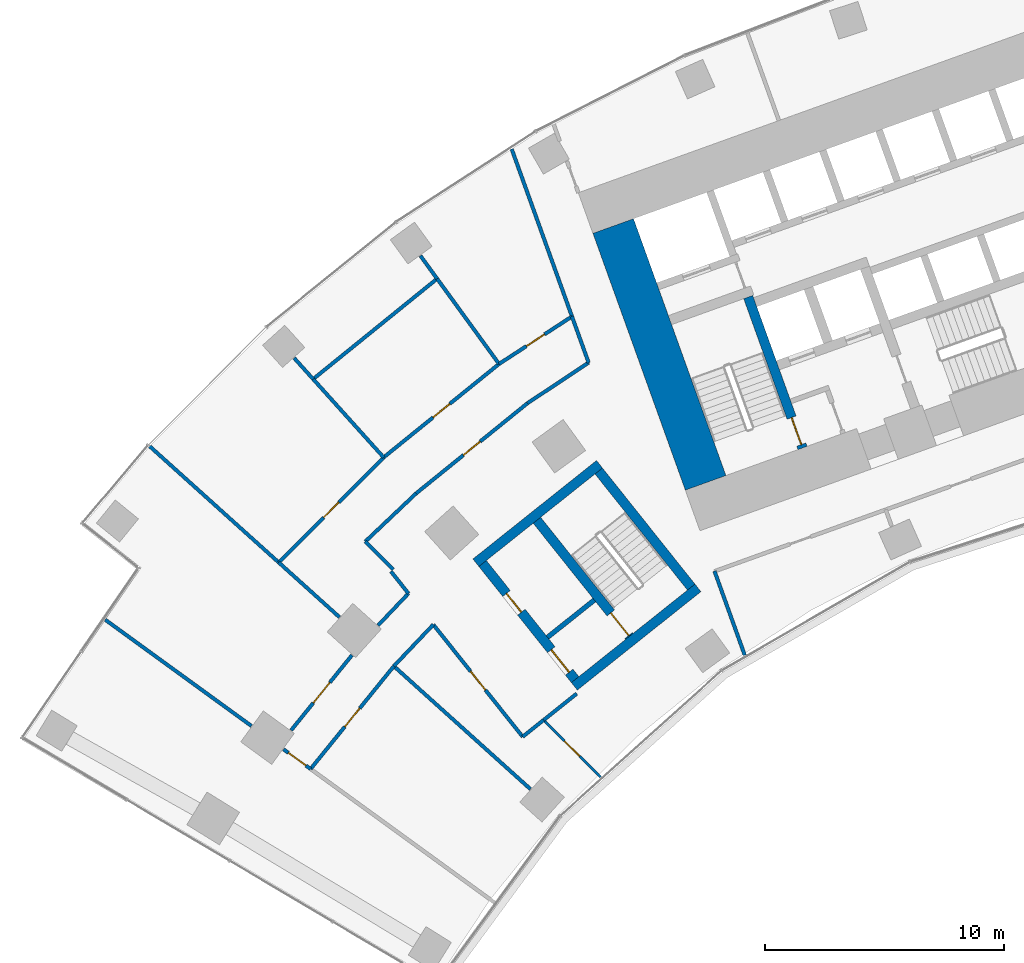
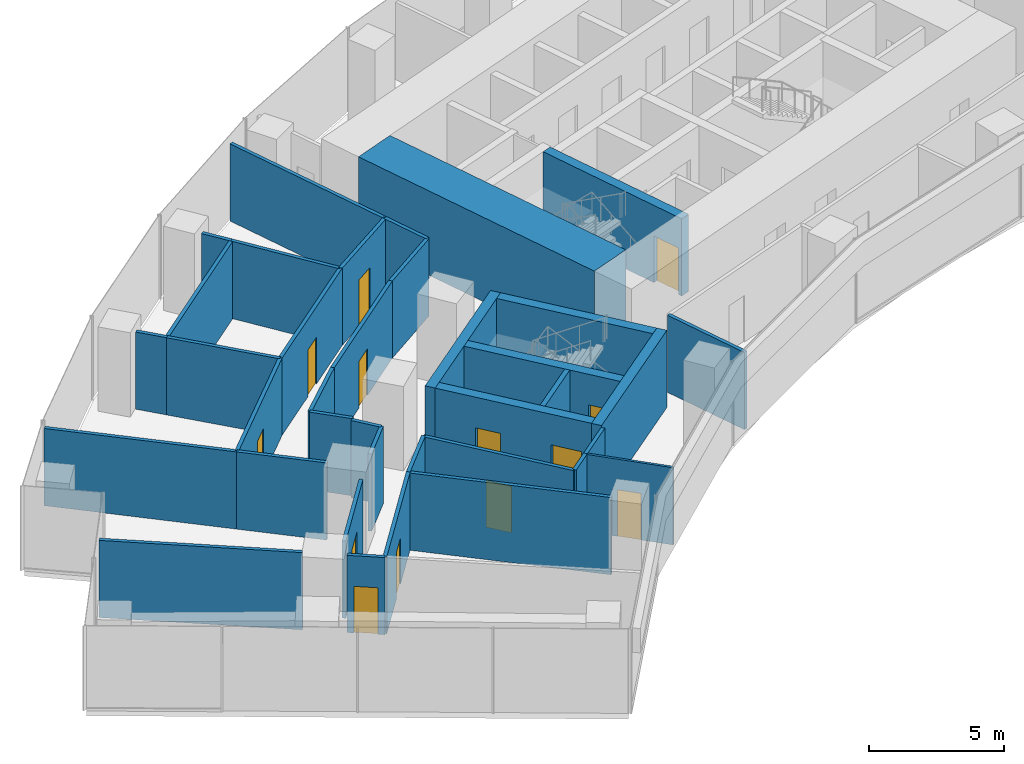
# One storey, part 14 of 21: 37 walls, 13 doors, 13 openings.
"""IFC4 building model written with IfcOpenShell, lengths in metres."""

from ifc_helpers import new_model, si_unit, direction, frame, frame_2d, origin, place, context, subcontext, project, spatial, rectangle, extrude, material, layer, layer_set, type_object, element, fill, save


model = new_model("IFC4")

# Units and contexts
model_context = context("Model", 3, precision=1e-05, world=origin(), true_north=direction((0.0, 1.0)))
body_context = subcontext(model_context, "Body", "Model", "MODEL_VIEW")
ifc_project = project(units=[si_unit("LENGTHUNIT", "METRE"), si_unit("AREAUNIT", "SQUARE_METRE"), si_unit("VOLUMEUNIT", "CUBIC_METRE"), si_unit("PLANEANGLEUNIT", "RADIAN"), si_unit("MASSUNIT", "GRAM", prefix="KILO")], contexts=[model_context])

# Site, building, storey
site_placement = place(None, origin())
site = spatial("IfcSite", under=ifc_project, at=site_placement, CompositionType="ELEMENT")
building_placement = place(site_placement, origin())
building = spatial("IfcBuilding", under=site, at=building_placement, Name="Stone Belt Terrace Tower", CompositionType="ELEMENT")
storey_placement = place(building_placement, frame((0.0, 0.0, 45.199951171875)))
storey = spatial("IfcBuildingStorey", under=building, at=storey_placement, Name="L10", CompositionType="ELEMENT", Elevation=45.199951171875)

# Wall
ifc_material_1 = material(Name="Concrete B80", Category="concrete")
ifc_layer_1 = layer(ifc_material_1, 1.800048828125)
ifc_layer_set_1 = layer_set([ifc_layer_1], Name="Core wall 1800 B80")
wall_type_1 = type_object("IfcWallType", Name="Core wall 1800 B80", PredefinedType="SHEAR", material=ifc_layer_set_1)
wall_1_placement = place(storey_placement, frame((-26.197509765625, 42.96728515625, 0.0), z_axis=(0.0, 0.0, 1.0), x_axis=(-0.338625431531, 0.940921259788, 0.0)))
element("IfcWall", 1, at=wall_1_placement, inside=storey, type_object=wall_type_1, Name="Core A wall end_a L10", PredefinedType="SHEAR", context=body_context, shape_type="SweptSolid", body=[
    extrude(rectangle(XDim=11.400146484375, YDim=1.800048828125, at=frame_2d((5.7001953125, 0.0))), origin(), (0.0, 0.0, 1.0), 3.800048828125),
])

# Wall, opening, door
ifc_material_2 = material(Name="Gypsum board partition")
ifc_layer_2 = layer(ifc_material_2, 0.10009765625)
ifc_layer_set_2 = layer_set([ifc_layer_2], Name="PARTITION 100")
wall_type_2 = type_object("IfcWallType", Name="PARTITION 100", PredefinedType="PARTITIONING", material=ifc_layer_set_2)
wall_2_placement = place(storey_placement, frame((-32.968017578125, 33.06005859375, 0.0), z_axis=(0.0, 0.0, 1.0), x_axis=(0.706309715327, -0.707902949587, 0.0)))
wall_2 = element("IfcWall", 2, at=wall_2_placement, inside=storey, type_object=wall_type_2, Name="L10/wall/i049", PredefinedType="PARTITIONING", context=body_context, shape_type="SweptSolid", body=[
    extrude(rectangle(XDim=3.37109375, YDim=0.10009765625, at=frame_2d((1.685546875, 0.0))), origin(), (0.0, 0.0, 1.0), 3.47998046875),
])
opening_1_placement = place(wall_2_placement, frame((1.235595703125, 0.0, 0.0)))
opening_1 = element("IfcOpeningElement", 3, at=opening_1_placement, cuts=wall_2, Name="Opening D-A3-13", PredefinedType="OPENING", context=body_context, shape_type="SweptSolid", body=[
    extrude(rectangle(XDim=0.89990234375, YDim=2.10009765625, at=frame_2d((0.449951171875, 1.050048828125))), frame((0.0, 0.06005859375, 0.0), z_axis=(0.0, -1.0, 0.0), x_axis=(1.0, 0.0, 0.0)), (0.0, 0.0, 1.0), 0.1201171875),
])
ifc_material_3 = material(Name="Timber door leaf", Category="wood")
door_type_1 = type_object("IfcDoorType", Name="OFFICE DOOR 900 X 2100", OperationType="NOTDEFINED", PredefinedType="DOOR", material=ifc_material_3)
door_1_placement = place(opening_1_placement, origin())
door_1 = element("IfcDoor", 4, at=door_1_placement, inside=storey, type_object=door_type_1, Name="L10/door/i13", OperationType="SINGLE_SWING_RIGHT", OverallHeight=2.10009765625, OverallWidth=0.89990234375, PredefinedType="DOOR", context=body_context, shape_type="SweptSolid", body=[
    extrude(rectangle(XDim=0.89990234375, YDim=2.10009765625, at=frame_2d((0.449951171875, 1.050048828125))), frame((0.0, 0.02490234375, 0.0), z_axis=(0.0, -1.0, 0.0), x_axis=(1.0, 0.0, 0.0)), (0.0, 0.0, 1.0), 0.050048828125),
])
fill(opening_1, door_1)

# Walls
ifc_layer_3 = layer(ifc_material_2, 0.14990234375)
ifc_layer_set_3 = layer_set([ifc_layer_3], Name="PARTITION 150 EI 60")
wall_type_3 = type_object("IfcWallType", Name="PARTITION 150 EI 60", PredefinedType="PARTITIONING", material=ifc_layer_set_3)
wall_3_placement = place(storey_placement, frame((-25.826904296875, 39.281005859375, 0.0), z_axis=(0.0, 0.0, 1.0), x_axis=(0.338392582605, -0.941005026574, 0.0)))
element("IfcWall", 5, at=wall_3_placement, inside=storey, type_object=wall_type_3, Name="L10/wall/i001", PredefinedType="PARTITIONING", context=body_context, shape_type="SweptSolid", body=[
    extrude(rectangle(XDim=3.729248046875, YDim=0.14990234375, at=frame_2d((1.86474609375, 0.0))), origin(), (0.0, 0.0, 1.0), 3.47998046875),
])
wall_4_placement = place(storey_placement, frame((-31.0830078125, 47.98193359375, 0.0), z_axis=(0.0, 0.0, 1.0), x_axis=(-0.338937449327, 0.940808910164, 0.0)))
element("IfcWall", 6, at=wall_4_placement, inside=storey, type_object=wall_type_3, Name="L10/wall/i004", PredefinedType="PARTITIONING", context=body_context, shape_type="SweptSolid", body=[
    extrude(rectangle(XDim=2.062255859375, YDim=0.14990234375, at=frame_2d((1.03125, 0.0))), origin(), (0.0, 0.0, 1.0), 3.47998046875),
])
wall_5_placement = place(storey_placement, frame((-31.778076171875, 49.909912109375, 0.0), z_axis=(0.0, 0.0, 1.0), x_axis=(-0.338711334353, 0.94089034004, 0.0)))
element("IfcWall", 7, at=wall_5_placement, inside=storey, type_object=wall_type_3, Name="L10/wall/i005", PredefinedType="PARTITIONING", context=body_context, shape_type="SweptSolid", body=[
    extrude(rectangle(XDim=7.43994140625, YDim=0.14990234375, at=frame_2d((3.719970703125, 0.0))), origin(), (0.0, 0.0, 1.0), 3.47998046875),
])

# Wall, opening, door
wall_6_placement = place(storey_placement, frame((-42.69091796875, 31.01611328125, 0.0), z_axis=(0.0, 0.0, 1.0), x_axis=(-0.809165251575, 0.587581139626, 0.0)))
wall_6 = element("IfcWall", 8, at=wall_6_placement, inside=storey, type_object=wall_type_3, Name="L10/wall/i034", PredefinedType="PARTITIONING", context=body_context, shape_type="SweptSolid", body=[
    extrude(rectangle(XDim=1.4013671875, YDim=0.14990234375, at=frame_2d((0.70068359375, 0.0))), origin(), (0.0, 0.0, 1.0), 3.47998046875),
])
opening_2_placement = place(wall_6_placement, frame((0.250732421875, 0.0, 0.0)))
opening_2 = element("IfcOpeningElement", 9, at=opening_2_placement, cuts=wall_6, Name="Opening D-A3-11", PredefinedType="OPENING", context=body_context, shape_type="SweptSolid", body=[
    extrude(rectangle(XDim=0.89990234375, YDim=2.10009765625, at=frame_2d((0.449951171875, 1.050048828125))), frame((0.0, 0.0849609375, 0.0), z_axis=(0.0, -1.0, 0.0), x_axis=(1.0, 0.0, 0.0)), (0.0, 0.0, 1.0), 0.169921875),
])
ifc_material_4 = material(Name="Timber fire door leaf", Category="wood")
door_type_2 = type_object("IfcDoorType", Name="TENANCY ENTRANCE DOOR 900 X 2100", OperationType="NOTDEFINED", PredefinedType="DOOR", material=ifc_material_4)
door_2_placement = place(opening_2_placement, origin())
door_2 = element("IfcDoor", 10, at=door_2_placement, inside=storey, type_object=door_type_2, Name="L10/door/i11", OperationType="SINGLE_SWING_RIGHT", OverallHeight=2.10009765625, OverallWidth=0.89990234375, PredefinedType="DOOR", context=body_context, shape_type="SweptSolid", body=[
    extrude(rectangle(XDim=0.89990234375, YDim=2.10009765625, at=frame_2d((0.449951171875, 1.050048828125))), frame((0.0, 0.02490234375, 0.0), z_axis=(0.0, -1.0, 0.0), x_axis=(1.0, 0.0, 0.0)), (0.0, 0.0, 1.0), 0.050048828125),
])
fill(opening_2, door_2)

# Walls
wall_7_placement = place(storey_placement, frame((-51.27294921875, 37.251708984375, 0.0), z_axis=(0.0, 0.0, 1.0), x_axis=(0.808996210437, -0.587813857865, 0.0)))
element("IfcWall", 11, at=wall_7_placement, inside=storey, type_object=wall_type_3, Name="L10/wall/i036", PredefinedType="PARTITIONING", context=body_context, shape_type="SweptSolid", body=[
    extrude(rectangle(XDim=7.546630859375, YDim=0.14990234375, at=frame_2d((3.7734375, 0.0))), origin(), (0.0, 0.0, 1.0), 3.47998046875),
])
wall_8_placement = place(storey_placement, frame((-39.25, 39.35107421875, 0.0), z_axis=(0.0, 0.0, 1.0), x_axis=(-0.706216032574, 0.707996409126, 0.0)))
element("IfcWall", 12, at=wall_8_placement, inside=storey, type_object=wall_type_3, Name="L10/wall/i037", PredefinedType="PARTITIONING", context=body_context, shape_type="SweptSolid", body=[
    extrude(rectangle(XDim=1.6455078125, YDim=0.14990234375, at=frame_2d((0.82275390625, 0.0))), origin(), (0.0, 0.0, 1.0), 3.47998046875),
])
wall_9_placement = place(storey_placement, frame((-40.412109375, 40.51611328125, 0.0), z_axis=(0.0, 0.0, 1.0), x_axis=(0.725899989111, 0.687800265926, 0.0)))
element("IfcWall", 13, at=wall_9_placement, inside=storey, type_object=wall_type_3, Name="L10/wall/i038", PredefinedType="PARTITIONING", context=body_context, shape_type="SweptSolid", body=[
    extrude(rectangle(XDim=2.922119140625, YDim=0.14990234375, at=frame_2d((1.4609375, 0.0))), origin(), (0.0, 0.0, 1.0), 3.47998046875),
])

# Wall, opening, door
wall_10_placement = place(storey_placement, frame((-38.2900390625, 42.527099609375, 0.0), z_axis=(0.0, 0.0, 1.0), x_axis=(0.77714422733, 0.629322532513, 0.0)))
wall_10 = element("IfcWall", 14, at=wall_10_placement, inside=storey, type_object=wall_type_3, Name="L10/wall/i039", PredefinedType="PARTITIONING", context=body_context, shape_type="SweptSolid", body=[
    extrude(rectangle(XDim=5.98876953125, YDim=0.14990234375, at=frame_2d((2.994384765625, 0.0))), origin(), (0.0, 0.0, 1.0), 3.47998046875),
])
opening_3_placement = place(wall_10_placement, frame((2.54443359375, 0.0, 0.0)))
opening_3 = element("IfcOpeningElement", 15, at=opening_3_placement, cuts=wall_10, Name="Opening D-A3-15", PredefinedType="OPENING", context=body_context, shape_type="SweptSolid", body=[
    extrude(rectangle(XDim=0.89990234375, YDim=2.10009765625, at=frame_2d((0.449951171875, 1.050048828125))), frame((0.0, 0.0849609375, 0.0), z_axis=(0.0, -1.0, 0.0), x_axis=(1.0, 0.0, 0.0)), (0.0, 0.0, 1.0), 0.169921875),
])
door_3_placement = place(opening_3_placement, origin())
door_3 = element("IfcDoor", 16, at=door_3_placement, inside=storey, type_object=door_type_1, Name="L10/door/i15", OperationType="SINGLE_SWING_RIGHT", OverallHeight=2.10009765625, OverallWidth=0.89990234375, PredefinedType="DOOR", context=body_context, shape_type="SweptSolid", body=[
    extrude(rectangle(XDim=0.89990234375, YDim=2.10009765625, at=frame_2d((0.449951171875, 1.050048828125))), frame((0.0, 0.02490234375, 0.0), z_axis=(0.0, -1.0, 0.0), x_axis=(1.0, 0.0, 0.0)), (0.0, 0.0, 1.0), 0.050048828125),
])
fill(opening_3, door_3)

# Walls
wall_11_placement = place(storey_placement, frame((-33.635986328125, 46.2958984375, 0.0), z_axis=(0.0, 0.0, 1.0), x_axis=(0.833385857539, 0.552691607005, 0.0)))
element("IfcWall", 17, at=wall_11_placement, inside=storey, type_object=wall_type_3, Name="L10/wall/i040", PredefinedType="PARTITIONING", context=body_context, shape_type="SweptSolid", body=[
    extrude(rectangle(XDim=3.059814453125, YDim=0.14990234375, at=frame_2d((1.52978515625, 0.0))), origin(), (0.0, 0.0, 1.0), 3.47998046875),
])
wall_12_placement = place(storey_placement, frame((-37.56689453125, 37.052001953125, 0.0), z_axis=(0.0, 0.0, 1.0), x_axis=(-0.688757486719, -0.724991809946, 0.0)))
element("IfcWall", 18, at=wall_12_placement, inside=storey, type_object=wall_type_3, Name="L10/wall/i041", PredefinedType="PARTITIONING", context=body_context, shape_type="SweptSolid", body=[
    extrude(rectangle(XDim=2.398681640625, YDim=0.14990234375, at=frame_2d((1.19921875, 0.0))), origin(), (0.0, 0.0, 1.0), 3.47998046875),
])

# Wall, opening, door
wall_13_placement = place(storey_placement, frame((-39.218994140625, 35.31298828125, 0.0), z_axis=(0.0, 0.0, 1.0), x_axis=(-0.629393988906, -0.777086357318, 0.0)))
wall_13 = element("IfcWall", 19, at=wall_13_placement, inside=storey, type_object=wall_type_3, Name="L10/wall/i042", PredefinedType="PARTITIONING", context=body_context, shape_type="SweptSolid", body=[
    extrude(rectangle(XDim=5.5244140625, YDim=0.14990234375, at=frame_2d((2.76220703125, 0.0))), origin(), (0.0, 0.0, 1.0), 3.47998046875),
])
opening_4_placement = place(wall_13_placement, frame((2.26220703125, 0.0, 0.0)))
opening_4 = element("IfcOpeningElement", 20, at=opening_4_placement, cuts=wall_13, Name="Opening D-A3-14", PredefinedType="OPENING", context=body_context, shape_type="SweptSolid", body=[
    extrude(rectangle(XDim=1.0, YDim=2.10009765625, at=frame_2d((0.5, 1.050048828125))), frame((0.0, 0.0849609375, 0.0), z_axis=(0.0, -1.0, 0.0), x_axis=(1.0, 0.0, 0.0)), (0.0, 0.0, 1.0), 0.169921875),
])
door_type_3 = type_object("IfcDoorType", Name="TENANCY ENTRANCE DOOR 1000 X 2100", OperationType="NOTDEFINED", PredefinedType="DOOR", material=ifc_material_4)
door_4_placement = place(opening_4_placement, origin())
door_4 = element("IfcDoor", 21, at=door_4_placement, inside=storey, type_object=door_type_3, Name="L10/door/i14", OperationType="SINGLE_SWING_RIGHT", OverallHeight=2.10009765625, OverallWidth=1.0, PredefinedType="DOOR", context=body_context, shape_type="SweptSolid", body=[
    extrude(rectangle(XDim=1.0, YDim=2.10009765625, at=frame_2d((0.5, 1.050048828125))), frame((0.0, 0.02490234375, 0.0), z_axis=(0.0, -1.0, 0.0), x_axis=(1.0, 0.0, 0.0)), (0.0, 0.0, 1.0), 0.050048828125),
])
fill(opening_4, door_4)

# Wall
wall_14_placement = place(storey_placement, frame((-39.873779296875, 37.019287109375, 0.0), z_axis=(0.0, 0.0, 1.0), x_axis=(0.688718115667, 0.72502921124, 0.0)))
element("IfcWall", 22, at=wall_14_placement, inside=storey, type_object=wall_type_3, Name="L10/wall/i043", PredefinedType="PARTITIONING", context=body_context, shape_type="SweptSolid", body=[
    extrude(rectangle(XDim=1.84228515625, YDim=0.14990234375, at=frame_2d((0.921142578125, 0.0))), origin(), (0.0, 0.0, 1.0), 3.47998046875),
])

# Wall, opening, door
wall_15_placement = place(storey_placement, frame((-43.5078125, 32.63623046875, 0.0), z_axis=(0.0, 0.0, 1.0), x_axis=(0.629347927528, 0.777123662049, 0.0)))
wall_15 = element("IfcWall", 23, at=wall_15_placement, inside=storey, type_object=wall_type_3, Name="L10/wall/i044", PredefinedType="PARTITIONING", context=body_context, shape_type="SweptSolid", body=[
    extrude(rectangle(XDim=4.034423828125, YDim=0.14990234375, at=frame_2d((2.01708984375, 0.0))), origin(), (0.0, 0.0, 1.0), 3.47998046875),
])
opening_5_placement = place(wall_15_placement, frame((1.46728515625, 0.0, 0.0)))
opening_5 = element("IfcOpeningElement", 24, at=opening_5_placement, cuts=wall_15, Name="Opening D-A3-19", PredefinedType="OPENING", context=body_context, shape_type="SweptSolid", body=[
    extrude(rectangle(XDim=1.10009765625, YDim=2.10009765625, at=frame_2d((0.550048828125, 1.050048828125))), frame((0.0, 0.0849609375, 0.0), z_axis=(0.0, -1.0, 0.0), x_axis=(1.0, 0.0, 0.0)), (0.0, 0.0, 1.0), 0.169921875),
])
ifc_material_5 = material(Name="Steel fire door set", Category="steel")
door_type_4 = type_object("IfcDoorType", Name="SERVICE ROOM DOOR 1100 X 2100", OperationType="NOTDEFINED", PredefinedType="DOOR", material=ifc_material_5)
door_5_placement = place(opening_5_placement, origin())
door_5 = element("IfcDoor", 25, at=door_5_placement, inside=storey, type_object=door_type_4, Name="L10/door/i19", OperationType="SINGLE_SWING_RIGHT", OverallHeight=2.10009765625, OverallWidth=1.10009765625, PredefinedType="DOOR", context=body_context, shape_type="SweptSolid", body=[
    extrude(rectangle(XDim=1.10009765625, YDim=2.10009765625, at=frame_2d((0.550048828125, 1.050048828125))), frame((0.0, 0.02490234375, 0.0), z_axis=(0.0, -1.0, 0.0), x_axis=(1.0, 0.0, 0.0)), (0.0, 0.0, 1.0), 0.050048828125),
])
fill(opening_5, door_5)

# Wall
wall_16_placement = place(storey_placement, frame((-32.962890625, 33.06298828125, 0.0), z_axis=(0.0, 0.0, 1.0), x_axis=(-0.782502176307, -0.622647849169, 0.0)))
element("IfcWall", 26, at=wall_16_placement, inside=storey, type_object=wall_type_3, Name="L10/wall/i045", PredefinedType="PARTITIONING", context=body_context, shape_type="SweptSolid", body=[
    extrude(rectangle(XDim=1.12109375, YDim=0.14990234375, at=frame_2d((0.560546875, 0.0))), origin(), (0.0, 0.0, 1.0), 3.47998046875),
])

# Wall, opening, door
wall_17_placement = place(storey_placement, frame((-33.840087890625, 32.364990234375, 0.0), z_axis=(0.0, 0.0, 1.0), x_axis=(-0.623112520353, 0.782132205563, 0.0)))
wall_17 = element("IfcWall", 27, at=wall_17_placement, inside=storey, type_object=wall_type_3, Name="L10/wall/i046", PredefinedType="PARTITIONING", context=body_context, shape_type="SweptSolid", body=[
    extrude(rectangle(XDim=5.987548828125, YDim=0.14990234375, at=frame_2d((2.99365234375, 0.0))), origin(), (0.0, 0.0, 1.0), 3.47998046875),
])
opening_6_placement = place(wall_17_placement, frame((2.493896484375, 0.0, 0.0)))
opening_6 = element("IfcOpeningElement", 28, at=opening_6_placement, cuts=wall_17, Name="Opening D-A3-12", PredefinedType="OPENING", context=body_context, shape_type="SweptSolid", body=[
    extrude(rectangle(XDim=1.0, YDim=2.10009765625, at=frame_2d((0.5, 1.050048828125))), frame((0.0, 0.0849609375, 0.0), z_axis=(0.0, -1.0, 0.0), x_axis=(1.0, 0.0, 0.0)), (0.0, 0.0, 1.0), 0.169921875),
])
door_6_placement = place(opening_6_placement, origin())
door_6 = element("IfcDoor", 29, at=door_6_placement, inside=storey, type_object=door_type_3, Name="L10/door/i12", OperationType="SINGLE_SWING_RIGHT", OverallHeight=2.10009765625, OverallWidth=1.0, PredefinedType="DOOR", context=body_context, shape_type="SweptSolid", body=[
    extrude(rectangle(XDim=1.0, YDim=2.10009765625, at=frame_2d((0.5, 1.050048828125))), frame((0.0, 0.02490234375, 0.0), z_axis=(0.0, -1.0, 0.0), x_axis=(1.0, 0.0, 0.0)), (0.0, 0.0, 1.0), 0.050048828125),
])
fill(opening_6, door_6)

# Walls
wall_18_placement = place(storey_placement, frame((-31.5810546875, 34.1650390625, 0.0), z_axis=(0.0, 0.0, 1.0), x_axis=(-0.781845256464, -0.623472529422, 0.0)))
element("IfcWall", 30, at=wall_18_placement, inside=storey, type_object=wall_type_3, Name="L10/wall/i047", PredefinedType="PARTITIONING", context=body_context, shape_type="SweptSolid", body=[
    extrude(rectangle(XDim=1.779052734375, YDim=0.14990234375, at=frame_2d((0.8896484375, 0.0))), origin(), (0.0, 0.0, 1.0), 3.47998046875),
])
wall_19_placement = place(storey_placement, frame((-38.60888671875, 38.35009765625, 0.0), z_axis=(0.0, 0.0, 1.0), x_axis=(-0.623044650104, 0.782186271917, 0.0)))
element("IfcWall", 31, at=wall_19_placement, inside=storey, type_object=wall_type_3, Name="L10/wall/i048", PredefinedType="PARTITIONING", context=body_context, shape_type="SweptSolid", body=[
    extrude(rectangle(XDim=1.173583984375, YDim=0.14990234375, at=frame_2d((0.5869140625, 0.0))), origin(), (0.0, 0.0, 1.0), 3.47998046875),
])
wall_20_placement = place(storey_placement, frame((-33.515869140625, 30.177734375, 0.0), z_axis=(0.0, 0.0, 1.0), x_axis=(-0.743135942629, 0.669140471629, 0.0)))
element("IfcWall", 32, at=wall_20_placement, inside=storey, type_object=wall_type_3, Name="L10/wall/i050", PredefinedType="PARTITIONING", context=body_context, shape_type="SweptSolid", body=[
    extrude(rectangle(XDim=7.67431640625, YDim=0.14990234375, at=frame_2d((3.837158203125, 0.0))), origin(), (0.0, 0.0, 1.0), 3.47998046875),
])

# Wall, opening, door
wall_21_placement = place(storey_placement, frame((-44.030029296875, 39.64599609375, 0.0), z_axis=(0.0, 0.0, 1.0), x_axis=(0.707106781187, 0.707106781187, 0.0)))
wall_21 = element("IfcWall", 33, at=wall_21_placement, inside=storey, type_object=wall_type_3, Name="L10/wall/i051", PredefinedType="PARTITIONING", context=body_context, shape_type="SweptSolid", body=[
    extrude(rectangle(XDim=6.201416015625, YDim=0.14990234375, at=frame_2d((3.1005859375, 0.0))), origin(), (0.0, 0.0, 1.0), 3.47998046875),
])
opening_7_placement = place(wall_21_placement, frame((2.650634765625, 0.0, 0.0)))
opening_7 = element("IfcOpeningElement", 34, at=opening_7_placement, cuts=wall_21, Name="Opening D-A3-16", PredefinedType="OPENING", context=body_context, shape_type="SweptSolid", body=[
    extrude(rectangle(XDim=0.89990234375, YDim=2.10009765625, at=frame_2d((0.449951171875, 1.050048828125))), frame((0.0, 0.0849609375, 0.0), z_axis=(0.0, -1.0, 0.0), x_axis=(1.0, 0.0, 0.0)), (0.0, 0.0, 1.0), 0.169921875),
])
door_7_placement = place(opening_7_placement, origin())
door_7 = element("IfcDoor", 35, at=door_7_placement, inside=storey, type_object=door_type_1, Name="L10/door/i16", OperationType="SINGLE_SWING_RIGHT", OverallHeight=2.10009765625, OverallWidth=0.89990234375, PredefinedType="DOOR", context=body_context, shape_type="SweptSolid", body=[
    extrude(rectangle(XDim=0.89990234375, YDim=2.10009765625, at=frame_2d((0.449951171875, 1.050048828125))), frame((0.0, 0.02490234375, 0.0), z_axis=(0.0, -1.0, 0.0), x_axis=(1.0, 0.0, 0.0)), (0.0, 0.0, 1.0), 0.050048828125),
])
fill(opening_7, door_7)

wall_22_placement = place(storey_placement, frame((-39.64404296875, 44.031982421875, 0.0), z_axis=(0.0, 0.0, 1.0), x_axis=(0.777109136124, 0.629365863829, 0.0)))
wall_22 = element("IfcWall", 36, at=wall_22_placement, inside=storey, type_object=wall_type_3, Name="L10/wall/i052", PredefinedType="PARTITIONING", context=body_context, shape_type="SweptSolid", body=[
    extrude(rectangle(XDim=6.199951171875, YDim=0.14990234375, at=frame_2d((3.10009765625, 0.0))), origin(), (0.0, 0.0, 1.0), 3.47998046875),
])
opening_8_placement = place(wall_22_placement, frame((2.64990234375, 0.0, 0.0)))
opening_8 = element("IfcOpeningElement", 37, at=opening_8_placement, cuts=wall_22, Name="Opening D-A3-17", PredefinedType="OPENING", context=body_context, shape_type="SweptSolid", body=[
    extrude(rectangle(XDim=0.89990234375, YDim=2.10009765625, at=frame_2d((0.449951171875, 1.050048828125))), frame((0.0, 0.0849609375, 0.0), z_axis=(0.0, -1.0, 0.0), x_axis=(1.0, 0.0, 0.0)), (0.0, 0.0, 1.0), 0.169921875),
])
door_8_placement = place(opening_8_placement, origin())
door_8 = element("IfcDoor", 38, at=door_8_placement, inside=storey, type_object=door_type_1, Name="L10/door/i17", OperationType="SINGLE_SWING_RIGHT", OverallHeight=2.10009765625, OverallWidth=0.89990234375, PredefinedType="DOOR", context=body_context, shape_type="SweptSolid", body=[
    extrude(rectangle(XDim=0.89990234375, YDim=2.10009765625, at=frame_2d((0.449951171875, 1.050048828125))), frame((0.0, 0.02490234375, 0.0), z_axis=(0.0, -1.0, 0.0), x_axis=(1.0, 0.0, 0.0)), (0.0, 0.0, 1.0), 0.050048828125),
])
fill(opening_8, door_8)

wall_23_placement = place(storey_placement, frame((-34.825927734375, 47.93408203125, 0.0), z_axis=(0.0, 0.0, 1.0), x_axis=(0.838179507416, 0.545394456653, 0.0)))
wall_23 = element("IfcWall", 39, at=wall_23_placement, inside=storey, type_object=wall_type_3, Name="L10/wall/i053", PredefinedType="PARTITIONING", context=body_context, shape_type="SweptSolid", body=[
    extrude(rectangle(XDim=3.634033203125, YDim=0.14990234375, at=frame_2d((1.81689453125, 0.0))), origin(), (0.0, 0.0, 1.0), 3.47998046875),
])
opening_9_placement = place(wall_23_placement, frame((1.366943359375, 0.0, 0.0)))
opening_9 = element("IfcOpeningElement", 40, at=opening_9_placement, cuts=wall_23, Name="Opening D-A3-18", PredefinedType="OPENING", context=body_context, shape_type="SweptSolid", body=[
    extrude(rectangle(XDim=0.89990234375, YDim=2.10009765625, at=frame_2d((0.449951171875, 1.050048828125))), frame((0.0, 0.0849609375, 0.0), z_axis=(0.0, -1.0, 0.0), x_axis=(1.0, 0.0, 0.0)), (0.0, 0.0, 1.0), 0.169921875),
])
door_9_placement = place(opening_9_placement, origin())
door_9 = element("IfcDoor", 41, at=door_9_placement, inside=storey, type_object=door_type_1, Name="L10/door/i18", OperationType="SINGLE_SWING_RIGHT", OverallHeight=2.10009765625, OverallWidth=0.89990234375, PredefinedType="DOOR", context=body_context, shape_type="SweptSolid", body=[
    extrude(rectangle(XDim=0.89990234375, YDim=2.10009765625, at=frame_2d((0.449951171875, 1.050048828125))), frame((0.0, 0.02490234375, 0.0), z_axis=(0.0, -1.0, 0.0), x_axis=(1.0, 0.0, 0.0)), (0.0, 0.0, 1.0), 0.050048828125),
])
fill(opening_9, door_9)

# Walls
wall_24_placement = place(storey_placement, frame((-41.489990234375, 37.357421875, 0.0), z_axis=(0.0, 0.0, 1.0), x_axis=(-0.742924764927, 0.669374927569, 0.0)))
element("IfcWall", 42, at=wall_24_placement, inside=storey, type_object=wall_type_3, Name="L10/wall/i054", PredefinedType="PARTITIONING", context=body_context, shape_type="SweptSolid", body=[
    extrude(rectangle(XDim=3.4189453125, YDim=0.14990234375, at=frame_2d((1.70947265625, 0.0))), origin(), (0.0, 0.0, 1.0), 3.47998046875),
])
wall_25_placement = place(storey_placement, frame((-42.593017578125, 47.304931640625, 0.0), z_axis=(0.0, 0.0, 1.0), x_axis=(0.669148410698, -0.743128793992, 0.0)))
element("IfcWall", 43, at=wall_25_placement, inside=storey, type_object=wall_type_3, Name="L10/wall/i055", PredefinedType="PARTITIONING", context=body_context, shape_type="SweptSolid", body=[
    extrude(rectangle(XDim=4.405517578125, YDim=0.14990234375, at=frame_2d((2.20263671875, 0.0))), origin(), (0.0, 0.0, 1.0), 3.47998046875),
])
wall_26_placement = place(storey_placement, frame((-43.382080078125, 48.18115234375, 0.0), z_axis=(0.0, 0.0, 1.0), x_axis=(0.669145878726, -0.743131073892, 0.0)))
element("IfcWall", 44, at=wall_26_placement, inside=storey, type_object=wall_type_3, Name="L10/wall/i056", PredefinedType="PARTITIONING", context=body_context, shape_type="SweptSolid", body=[
    extrude(rectangle(XDim=1.191162109375, YDim=0.14990234375, at=frame_2d((0.595703125, 0.0))), origin(), (0.0, 0.0, 1.0), 3.47998046875),
])
wall_27_placement = place(storey_placement, frame((-44.030029296875, 39.64599609375, 0.0), z_axis=(0.0, 0.0, 1.0), x_axis=(-0.74319367285, 0.669076351874, 0.0)))
element("IfcWall", 45, at=wall_27_placement, inside=storey, type_object=wall_type_3, Name="L10/wall/i057", PredefinedType="PARTITIONING", context=body_context, shape_type="SweptSolid", body=[
    extrude(rectangle(XDim=7.25, YDim=0.14990234375, at=frame_2d((3.625, 0.0))), origin(), (0.0, 0.0, 1.0), 3.47998046875),
])
wall_28_placement = place(storey_placement, frame((-42.589111328125, 47.301025390625, 0.0), z_axis=(0.0, 0.0, 1.0), x_axis=(0.777172317777, 0.629287842312, 0.0)))
element("IfcWall", 46, at=wall_28_placement, inside=storey, type_object=wall_type_3, Name="L10/wall/i058", PredefinedType="PARTITIONING", context=body_context, shape_type="SweptSolid", body=[
    extrude(rectangle(XDim=6.661376953125, YDim=0.14990234375, at=frame_2d((3.33056640625, 0.0))), origin(), (0.0, 0.0, 1.0), 3.47998046875),
])
wall_29_placement = place(storey_placement, frame((-37.412109375, 51.492919921875, 0.0), z_axis=(0.0, 0.0, 1.0), x_axis=(0.58786477972, -0.808959208344, 0.0)))
element("IfcWall", 47, at=wall_29_placement, inside=storey, type_object=wall_type_3, Name="L10/wall/i059", PredefinedType="PARTITIONING", context=body_context, shape_type="SweptSolid", body=[
    extrude(rectangle(XDim=4.399169921875, YDim=0.14990234375, at=frame_2d((2.19970703125, 0.0))), origin(), (0.0, 0.0, 1.0), 3.47998046875),
])
wall_30_placement = place(storey_placement, frame((-38.1083984375, 52.45166015625, 0.0), z_axis=(0.0, 0.0, 1.0), x_axis=(0.587632515929, -0.809127941813, 0.0)))
element("IfcWall", 48, at=wall_30_placement, inside=storey, type_object=wall_type_3, Name="L10/wall/i060", PredefinedType="PARTITIONING", context=body_context, shape_type="SweptSolid", body=[
    extrude(rectangle(XDim=1.184814453125, YDim=0.14990234375, at=frame_2d((0.59228515625, 0.0))), origin(), (0.0, 0.0, 1.0), 3.47998046875),
])
ifc_material_6 = material(Name="Concrete masonry block", Category="masonry")
ifc_layer_4 = layer(ifc_material_6, 0.199951171875)
ifc_layer_set_4 = layer_set([ifc_layer_4], Name="Rated lobby wall 200")
wall_type_4 = type_object("IfcWallType", Name="Rated lobby wall 200", PredefinedType="PARTITIONING", material=ifc_layer_set_4)
wall_31_placement = place(storey_placement, frame((-30.845703125, 38.074951171875, 0.0), z_axis=(0.0, 0.0, 1.0), x_axis=(-0.782115323833, -0.623133709749, 0.0)))
element("IfcWall", 49, at=wall_31_placement, inside=storey, type_object=wall_type_4, Name="Exit stair ST3A wall", PredefinedType="PARTITIONING", context=body_context, shape_type="SweptSolid", body=[
    extrude(rectangle(XDim=2.5, YDim=0.199951171875, at=frame_2d((1.25, 0.0))), origin(), (0.0, 0.0, 1.0), 3.47998046875),
])

# Wall, opening, door
ifc_layer_5 = layer(ifc_material_1, 0.39990234375)
ifc_layer_set_5 = layer_set([ifc_layer_5], Name="Stair enclosure wall 400")
wall_type_5 = type_object("IfcWallType", Name="Stair enclosure wall 400", PredefinedType="SHEAR", material=ifc_layer_set_5)
wall_32_placement = place(storey_placement, frame((-22.151611328125, 44.42333984375, 0.0), z_axis=(0.0, 0.0, 1.0), x_axis=(-0.338625272931, 0.940921316866, 0.0)))
wall_32 = element("IfcWall", 50, at=wall_32_placement, inside=storey, type_object=wall_type_5, Name="Core A wall", PredefinedType="SHEAR", context=body_context, shape_type="SweptSolid", body=[
    extrude(rectangle(XDim=6.699951171875, YDim=0.39990234375, at=frame_2d((3.35009765625, 0.0))), origin(), (0.0, 0.0, 1.0), 3.47998046875),
])
opening_10_placement = place(wall_32_placement, frame((0.14990234375, 0.0, 0.0)))
opening_10 = element("IfcOpeningElement", 51, at=opening_10_placement, cuts=wall_32, Name="Opening L10-C03", PredefinedType="OPENING", context=body_context, shape_type="SweptSolid", body=[
    extrude(rectangle(XDim=1.199951171875, YDim=2.10009765625, at=frame_2d((0.60009765625, 1.050048828125))), frame((0.0, 0.2099609375, 0.0), z_axis=(0.0, -1.0, 0.0), x_axis=(1.0, 0.0, 0.0)), (0.0, 0.0, 1.0), 0.419921875),
])
ifc_material_7 = material(Name="Steel door leaf", Category="steel")
door_type_5 = type_object("IfcDoorType", Name="Stair door 1200", OperationType="SINGLE_SWING_LEFT", PredefinedType="DOOR", material=ifc_material_7)
door_10_placement = place(opening_10_placement, origin())
door_10 = element("IfcDoor", 52, at=door_10_placement, inside=storey, type_object=door_type_5, Name="Stair 1 door core A", OperationType="SINGLE_SWING_RIGHT", OverallHeight=2.10009765625, OverallWidth=1.199951171875, PredefinedType="DOOR", context=body_context, shape_type="SweptSolid", body=[
    extrude(rectangle(XDim=1.199951171875, YDim=2.10009765625, at=frame_2d((0.60009765625, 1.050048828125))), frame((0.0, 0.02490234375, 0.0), z_axis=(0.0, -1.0, 0.0), x_axis=(1.0, 0.0, 0.0)), (0.0, 0.0, 1.0), 0.050048828125),
])
fill(opening_10, door_10)

# Walls
for number, where, z_axis, x_axis, name in (
    (53, (-26.518798828125, 38.58154296875, 0.0), (0.0, 0.0, 1.0), (-0.782133914161, -0.623110375711, 0.0), "Exit stair ST3A wall"),
    (54, (-30.63134765625, 43.74365234375, 0.0), (0.0, 0.0, 1.0), (-0.782133914161, -0.623110375711, 0.0), "Exit stair ST3A wall"),
):
    element("IfcWall", number, at=place(storey_placement, frame(where, z_axis=z_axis, x_axis=x_axis)), inside=storey, type_object=wall_type_5, Name=name, PredefinedType="SHEAR", context=body_context, shape_type="SweptSolid", body=[
        extrude(rectangle(XDim=6.60009765625, YDim=0.39990234375, at=frame_2d((3.300048828125, 0.0))), origin(), (0.0, 0.0, 1.0), 3.47998046875),
    ])
wall_33_placement = place(storey_placement, frame((-26.7998046875, 38.61328125, 0.0), z_axis=(0.0, 0.0, 1.0), x_axis=(-0.623118653668, 0.782127319208, 0.0)))
element("IfcWall", 55, at=wall_33_placement, inside=storey, type_object=wall_type_5, Name="Exit stair ST3A wall", PredefinedType="SHEAR", context=body_context, shape_type="SweptSolid", body=[
    extrude(rectangle(XDim=6.199951171875, YDim=0.39990234375, at=frame_2d((3.10009765625, 0.0))), origin(), (0.0, 0.0, 1.0), 3.47998046875),
])

# Wall, openings, doors
wall_34_placement = place(storey_placement, frame((-31.64892578125, 34.75, 0.0), z_axis=(0.0, 0.0, 1.0), x_axis=(-0.623118653668, 0.782127319208, 0.0)))
wall_34 = element("IfcWall", 56, at=wall_34_placement, inside=storey, type_object=wall_type_5, Name="Exit stair ST3A wall", PredefinedType="SHEAR", context=body_context, shape_type="SweptSolid", body=[
    extrude(rectangle(XDim=6.199951171875, YDim=0.39990234375, at=frame_2d((3.10009765625, 0.0))), origin(), (0.0, 0.0, 1.0), 3.47998046875),
])
opening_11_placement = place(wall_34_placement, frame((0.39990234375, 0.0, 0.0)))
opening_11 = element("IfcOpeningElement", 57, at=opening_11_placement, cuts=wall_34, Name="Opening L10-C20", PredefinedType="OPENING", context=body_context, shape_type="SweptSolid", body=[
    extrude(rectangle(XDim=1.199951171875, YDim=2.10009765625, at=frame_2d((0.60009765625, 1.050048828125))), frame((0.0, 0.2099609375, 0.0), z_axis=(0.0, -1.0, 0.0), x_axis=(1.0, 0.0, 0.0)), (0.0, 0.0, 1.0), 0.419921875),
])
opening_12_placement = place(wall_34_placement, frame((3.60009765625, 0.0, 0.0)))
opening_12 = element("IfcOpeningElement", 58, at=opening_12_placement, cuts=wall_34, Name="Opening L10-C21", PredefinedType="OPENING", context=body_context, shape_type="SweptSolid", body=[
    extrude(rectangle(XDim=1.0, YDim=2.10009765625, at=frame_2d((0.5, 1.050048828125))), frame((0.0, 0.2099609375, 0.0), z_axis=(0.0, -1.0, 0.0), x_axis=(1.0, 0.0, 0.0)), (0.0, 0.0, 1.0), 0.419921875),
])
door_type_6 = type_object("IfcDoorType", Name="Core room door 1000", OperationType="SINGLE_SWING_LEFT", PredefinedType="DOOR", material=ifc_material_3)
door_11_placement = place(opening_12_placement, origin())
door_11 = element("IfcDoor", 59, at=door_11_placement, inside=storey, type_object=door_type_6, Name="Door to stair pressurisation plant room ST3A", OperationType="SINGLE_SWING_LEFT", OverallHeight=2.10009765625, OverallWidth=1.0, PredefinedType="DOOR", context=body_context, shape_type="SweptSolid", body=[
    extrude(rectangle(XDim=1.0, YDim=2.10009765625, at=frame_2d((0.5, 1.050048828125))), frame((0.0, 0.02490234375, 0.0), z_axis=(0.0, -1.0, 0.0), x_axis=(1.0, 0.0, 0.0)), (0.0, 0.0, 1.0), 0.050048828125),
])
fill(opening_12, door_11)
door_type_7 = type_object("IfcDoorType", Name="Stair airlock door 1200", OperationType="SINGLE_SWING_LEFT", PredefinedType="DOOR", material=ifc_material_7)
door_12_placement = place(opening_11_placement, origin())
door_12 = element("IfcDoor", 60, at=door_12_placement, inside=storey, type_object=door_type_7, Name="Stair airlock door ST3A", OperationType="SINGLE_SWING_LEFT", OverallHeight=2.10009765625, OverallWidth=1.199951171875, PredefinedType="DOOR", context=body_context, shape_type="SweptSolid", body=[
    extrude(rectangle(XDim=1.199951171875, YDim=2.10009765625, at=frame_2d((0.60009765625, 1.050048828125))), frame((0.0, 0.02490234375, 0.0), z_axis=(0.0, -1.0, 0.0), x_axis=(1.0, 0.0, 0.0)), (0.0, 0.0, 1.0), 0.050048828125),
])
fill(opening_11, door_12)

# Wall, opening, door
wall_35_placement = place(storey_placement, frame((-29.380859375, 36.556884765625, 0.0), z_axis=(0.0, 0.0, 1.0), x_axis=(-0.623099462847, 0.782142608097, 0.0)))
wall_35 = element("IfcWall", 61, at=wall_35_placement, inside=storey, type_object=wall_type_5, Name="Exit stair ST3A wall", PredefinedType="SHEAR", context=body_context, shape_type="SweptSolid", body=[
    extrude(rectangle(XDim=6.2001953125, YDim=0.39990234375, at=frame_2d((3.10009765625, 0.0))), origin(), (0.0, 0.0, 1.0), 3.47998046875),
])
opening_13_placement = place(wall_35_placement, frame((0.050048828125, 0.0, 0.0)))
opening_13 = element("IfcOpeningElement", 62, at=opening_13_placement, cuts=wall_35, Name="Opening L10-C19", PredefinedType="OPENING", context=body_context, shape_type="SweptSolid", body=[
    extrude(rectangle(XDim=1.199951171875, YDim=2.10009765625, at=frame_2d((0.60009765625, 1.050048828125))), frame((0.0, 0.2099609375, 0.0), z_axis=(0.0, -1.0, 0.0), x_axis=(1.0, 0.0, 0.0)), (0.0, 0.0, 1.0), 0.419921875),
])
door_13_placement = place(opening_13_placement, origin())
door_13 = element("IfcDoor", 63, at=door_13_placement, inside=storey, type_object=door_type_5, Name="Stair door ST3A", OperationType="SINGLE_SWING_RIGHT", OverallHeight=2.10009765625, OverallWidth=1.199951171875, PredefinedType="DOOR", context=body_context, shape_type="SweptSolid", body=[
    extrude(rectangle(XDim=1.199951171875, YDim=2.10009765625, at=frame_2d((0.60009765625, 1.050048828125))), frame((0.0, 0.02490234375, 0.0), z_axis=(0.0, -1.0, 0.0), x_axis=(1.0, 0.0, 0.0)), (0.0, 0.0, 1.0), 0.050048828125),
])
fill(opening_13, door_13)

save(model, "model.ifc")
